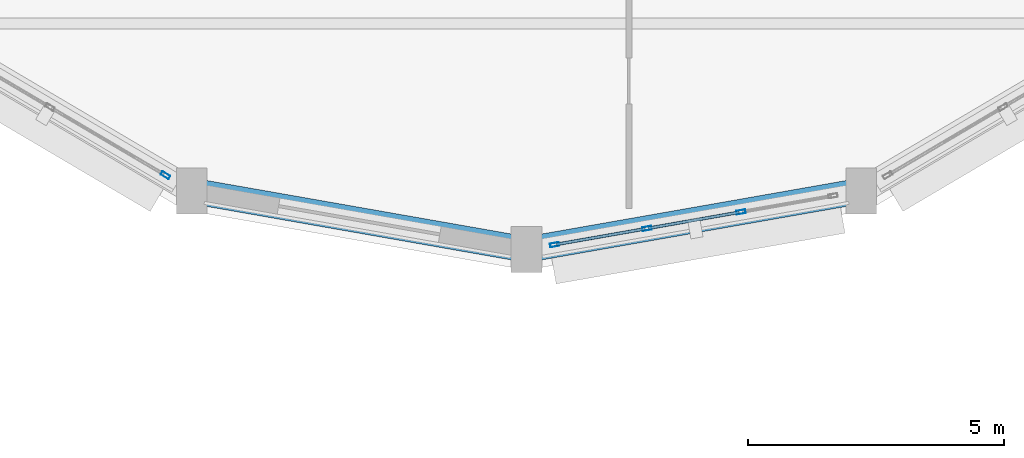
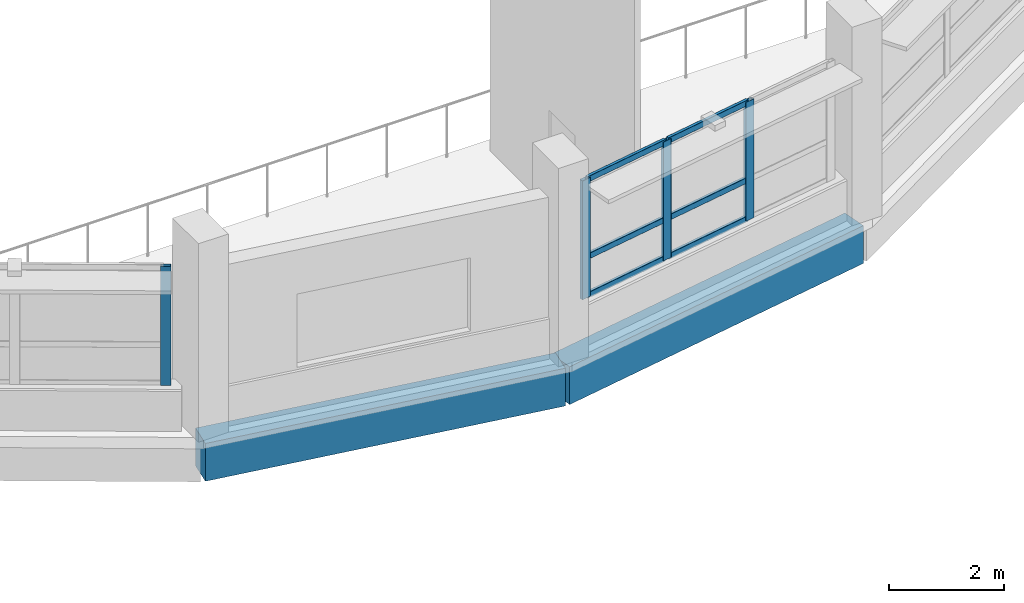
# One storey, part 91 of 128: 10 members, 2 beams, 2 elements without a shape of their own.
"""IFC4 building model written with IfcOpenShell, lengths in metres."""

from ifc_helpers import new_model, si_unit, direction, frame, origin, origin_2d, place, context, subcontext, project, spatial, rectangle, hollow_rectangle, extrude, material, layer, layer_set, material_profile, profile_set, type_object, element, aggregate, save


model = new_model("IFC4")

# Units and contexts
model_context = context("Model", 3, precision=1e-05, world=origin(), true_north=direction((0.0, 1.0)))
body_context = subcontext(model_context, "Body", "Model", "MODEL_VIEW")
ifc_project = project(units=[si_unit("LENGTHUNIT", "METRE"), si_unit("AREAUNIT", "SQUARE_METRE"), si_unit("VOLUMEUNIT", "CUBIC_METRE"), si_unit("PLANEANGLEUNIT", "RADIAN"), si_unit("MASSUNIT", "GRAM", prefix="KILO")], contexts=[model_context])

# Site, building, storey
site_placement = place(None, origin())
site = spatial("IfcSite", under=ifc_project, at=site_placement, CompositionType="ELEMENT")
building_placement = place(site_placement, origin())
building = spatial("IfcBuilding", under=site, at=building_placement, Name="Vespera Passage Community Centre", CompositionType="ELEMENT")
storey_placement = place(building_placement, frame((0.0, 0.0, 4.5)))
storey = spatial("IfcBuildingStorey", under=building, at=storey_placement, Name="L01", CompositionType="ELEMENT", Elevation=4.5)

# Beams
ifc_material_1 = material(Name="Concrete f'c 35 MPa", Category="concrete")
ifc_material_profile_1 = material_profile(ifc_material_1, rectangle(XDim=0.5, YDim=0.800048828125, at=origin_2d()), Name="RC500X800")
ifc_profile_set_1 = profile_set([ifc_material_profile_1], Name="Concrete f'c 35 MPa")
beam_type = type_object("IfcBeamType", Name="BM-SP-500X800E", PredefinedType="SPANDREL", material=ifc_profile_set_1)
for number, where, z_axis, x_axis, name in (
    (1, (136.4560546875, 75.54931640625, -0.639892578125), (0.984922333185, -0.172997102844, 0.0), (0.172997102844, 0.984922333185, 0.0), "V2 L01 Perimeter Spandrel 12"),
    (2, (143.0, 74.39990234375, -0.639892578125), (0.984922333185, 0.172997102844, 0.0), (-0.172997102844, 0.984922333185, 0.0), "V2 L01 Perimeter Spandrel 13"),
):
    element("IfcBeam", number, at=place(storey_placement, frame(where, z_axis=z_axis, x_axis=x_axis)), inside=storey, type_object=beam_type, Name=name, PredefinedType="SPANDREL", context=body_context, shape_type="SweptSolid", body=[
        extrude(rectangle(XDim=0.5, YDim=0.800048828125, at=origin_2d()), origin(), (0.0, 0.0, 1.0), 6.64404296875),
    ])

# Curtain wall, member
ifc_material_2 = material(Name="Anodized aluminium 6063-T6", Category="aluminium")
ifc_layer_1 = layer(ifc_material_2, 0.159912109375)
ifc_layer_set_1 = layer_set([ifc_layer_1], Name="Anodized aluminium 6063-T6")
curtain_wall_type_1 = type_object("IfcCurtainWallType", Name="CW-94E", PredefinedType="NOTDEFINED", material=ifc_layer_set_1)
curtain_wall_1_placement = place(storey_placement, origin())
curtain_wall_1 = element("IfcCurtainWall", 3, at=curtain_wall_1_placement, inside=storey, type_object=curtain_wall_type_1, Name="Sports Drum Ribbon Curtain Wall L01.11", PredefinedType="NOTDEFINED")
ifc_material_3 = material(Name="Anodized aluminium 6063-T6", Category="aluminium")
ifc_material_profile_2 = material_profile(ifc_material_3, hollow_rectangle(XDim=0.074951171875, YDim=0.179931640625, WallThickness=0.0048828125, InnerFilletRadius=0.00244140625, OuterFilletRadius=0.0048828125, at=origin_2d()), Name="ALU180X75X5")
ifc_profile_set_2 = profile_set([ifc_material_profile_2], Name="Anodized aluminium 6063-T6")
member_type_1 = type_object("IfcMemberType", Name="MB-CWM-180E", PredefinedType="MULLION", material=ifc_profile_set_2)
member_1_placement = place(storey_placement, frame((135.938720703125, 75.854736328125, 0.85009765625), z_axis=(0.0, 0.0, 1.0), x_axis=(-0.50817007737, -0.861256740157, 0.0)))
member_1 = element("IfcMember", 4, at=member_1_placement, type_object=member_type_1, Name="CW-94E mullion 1", PredefinedType="MULLION", context=body_context, shape_type="SweptSolid", body=[
    extrude(hollow_rectangle(XDim=0.074951171875, YDim=0.179931640625, WallThickness=0.0048828125, InnerFilletRadius=0.00244140625, OuterFilletRadius=0.0048828125, at=origin_2d()), origin(), (0.0, 0.0, 1.0), 2.514892578125),
])
aggregate(curtain_wall_1, [member_1])

# Curtain wall, members
ifc_material_4 = material(Name="Anodized aluminium 6063-T6", Category="aluminium")
ifc_layer_2 = layer(ifc_material_4, 0.159912109375)
ifc_layer_set_2 = layer_set([ifc_layer_2], Name="Anodized aluminium 6063-T6")
curtain_wall_type_2 = type_object("IfcCurtainWallType", Name="CW-95E", PredefinedType="NOTDEFINED", material=ifc_layer_set_2)
curtain_wall_2_placement = place(storey_placement, origin())
curtain_wall_2 = element("IfcCurtainWall", 5, at=curtain_wall_2_placement, inside=storey, type_object=curtain_wall_type_2, Name="Sports Drum Ribbon Curtain Wall L01.13", PredefinedType="NOTDEFINED")
member_2_placement = place(storey_placement, frame((147.19189453125, 75.13623046875, 0.85009765625), z_axis=(0.0, 0.0, 1.0), x_axis=(0.172994429562, -0.984922802731, 0.0)))
member_2 = element("IfcMember", 6, at=member_2_placement, type_object=member_type_1, Name="CW-95E mullion 2", PredefinedType="MULLION", context=body_context, shape_type="SweptSolid", body=[
    extrude(hollow_rectangle(XDim=0.074951171875, YDim=0.179931640625, WallThickness=0.0048828125, InnerFilletRadius=0.00244140625, OuterFilletRadius=0.0048828125, at=origin_2d()), origin(), (0.0, 0.0, 1.0), 2.514892578125),
])
member_3_placement = place(storey_placement, frame((145.351806640625, 74.81298828125, 0.85009765625), z_axis=(0.0, 0.0, 1.0), x_axis=(0.172994429562, -0.984922802731, 0.0)))
member_3 = element("IfcMember", 7, at=member_3_placement, type_object=member_type_1, Name="CW-95E mullion 3", PredefinedType="MULLION", context=body_context, shape_type="SweptSolid", body=[
    extrude(hollow_rectangle(XDim=0.074951171875, YDim=0.179931640625, WallThickness=0.0048828125, InnerFilletRadius=0.00244140625, OuterFilletRadius=0.0048828125, at=origin_2d()), origin(), (0.0, 0.0, 1.0), 2.514892578125),
])
member_4_placement = place(storey_placement, frame((143.548828125, 74.496337890625, 0.85009765625), z_axis=(0.0, 0.0, 1.0), x_axis=(0.172994429562, -0.984922802731, 0.0)))
member_4 = element("IfcMember", 8, at=member_4_placement, type_object=member_type_1, Name="CW-95E mullion 4", PredefinedType="MULLION", context=body_context, shape_type="SweptSolid", body=[
    extrude(hollow_rectangle(XDim=0.074951171875, YDim=0.179931640625, WallThickness=0.0048828125, InnerFilletRadius=0.00244140625, OuterFilletRadius=0.0048828125, at=origin_2d()), origin(), (0.0, 0.0, 1.0), 2.514892578125),
])
ifc_material_5 = material(Name="Anodized aluminium 6063-T6", Category="aluminium")
ifc_material_profile_3 = material_profile(ifc_material_5, hollow_rectangle(XDim=0.06005859375, YDim=0.1201171875, WallThickness=0.00390625, InnerFilletRadius=0.001953125, OuterFilletRadius=0.00390625, at=origin_2d()), Name="ALU120X60X4")
ifc_profile_set_3 = profile_set([ifc_material_profile_3], Name="Anodized aluminium 6063-T6")
member_type_2 = type_object("IfcMemberType", Name="MB-CWT-120E", PredefinedType="USERDEFINED", material=ifc_profile_set_3)
member_5_placement = place(storey_placement, frame((147.155029296875, 75.1298828125, 0.8798828125), z_axis=(-0.984913493542, -0.173047421937, 0.0), x_axis=(0.173047421937, -0.984913493542, 0.0)))
member_5 = element("IfcMember", 9, at=member_5_placement, type_object=member_type_2, Name="CW-95E transom 2.1", ObjectType="TRANSOM", PredefinedType="USERDEFINED", context=body_context, shape_type="SweptSolid", body=[
    extrude(hollow_rectangle(XDim=0.06005859375, YDim=0.1201171875, WallThickness=0.00390625, InnerFilletRadius=0.001953125, OuterFilletRadius=0.00390625, at=origin_2d()), origin(), (0.0, 0.0, 1.0), 1.793212890625),
])
member_6_placement = place(storey_placement, frame((147.155029296875, 75.1298828125, 1.699951171875), z_axis=(-0.984913493542, -0.173047421937, 0.0), x_axis=(0.173047421937, -0.984913493542, 0.0)))
member_6 = element("IfcMember", 10, at=member_6_placement, type_object=member_type_2, Name="CW-95E transom 2.2", ObjectType="TRANSOM", PredefinedType="USERDEFINED", context=body_context, shape_type="SweptSolid", body=[
    extrude(hollow_rectangle(XDim=0.06005859375, YDim=0.1201171875, WallThickness=0.00390625, InnerFilletRadius=0.001953125, OuterFilletRadius=0.00390625, at=origin_2d()), origin(), (0.0, 0.0, 1.0), 1.793212890625),
])
member_7_placement = place(storey_placement, frame((147.155029296875, 75.1298828125, 3.3349609375), z_axis=(-0.984913493542, -0.173047421937, 0.0), x_axis=(0.173047421937, -0.984913493542, 0.0)))
member_7 = element("IfcMember", 11, at=member_7_placement, type_object=member_type_2, Name="CW-95E transom 2.3", ObjectType="TRANSOM", PredefinedType="USERDEFINED", context=body_context, shape_type="SweptSolid", body=[
    extrude(hollow_rectangle(XDim=0.06005859375, YDim=0.1201171875, WallThickness=0.00390625, InnerFilletRadius=0.001953125, OuterFilletRadius=0.00390625, at=origin_2d()), origin(), (0.0, 0.0, 1.0), 1.793212890625),
])
member_8_placement = place(storey_placement, frame((145.31494140625, 74.806640625, 0.8798828125), z_axis=(-0.984924620758, -0.172984078529, 0.0), x_axis=(0.172984078529, -0.984924620758, 0.0)))
member_8 = element("IfcMember", 12, at=member_8_placement, type_object=member_type_2, Name="CW-95E transom 3.1", ObjectType="TRANSOM", PredefinedType="USERDEFINED", context=body_context, shape_type="SweptSolid", body=[
    extrude(hollow_rectangle(XDim=0.06005859375, YDim=0.1201171875, WallThickness=0.00390625, InnerFilletRadius=0.001953125, OuterFilletRadius=0.00390625, at=origin_2d()), origin(), (0.0, 0.0, 1.0), 1.755615234375),
])
member_9_placement = place(storey_placement, frame((145.31494140625, 74.806640625, 1.699951171875), z_axis=(-0.984924620758, -0.172984078529, 0.0), x_axis=(0.172984078529, -0.984924620758, 0.0)))
member_9 = element("IfcMember", 13, at=member_9_placement, type_object=member_type_2, Name="CW-95E transom 3.2", ObjectType="TRANSOM", PredefinedType="USERDEFINED", context=body_context, shape_type="SweptSolid", body=[
    extrude(hollow_rectangle(XDim=0.06005859375, YDim=0.1201171875, WallThickness=0.00390625, InnerFilletRadius=0.001953125, OuterFilletRadius=0.00390625, at=origin_2d()), origin(), (0.0, 0.0, 1.0), 1.755615234375),
])
member_10_placement = place(storey_placement, frame((145.31494140625, 74.806640625, 3.3349609375), z_axis=(-0.984924620758, -0.172984078529, 0.0), x_axis=(0.172984078529, -0.984924620758, 0.0)))
member_10 = element("IfcMember", 14, at=member_10_placement, type_object=member_type_2, Name="CW-95E transom 3.3", ObjectType="TRANSOM", PredefinedType="USERDEFINED", context=body_context, shape_type="SweptSolid", body=[
    extrude(hollow_rectangle(XDim=0.06005859375, YDim=0.1201171875, WallThickness=0.00390625, InnerFilletRadius=0.001953125, OuterFilletRadius=0.00390625, at=origin_2d()), origin(), (0.0, 0.0, 1.0), 1.755615234375),
])
aggregate(curtain_wall_2, [member_2, member_3, member_4, member_5, member_6, member_7, member_8, member_9, member_10])

save(model, "model.ifc")
